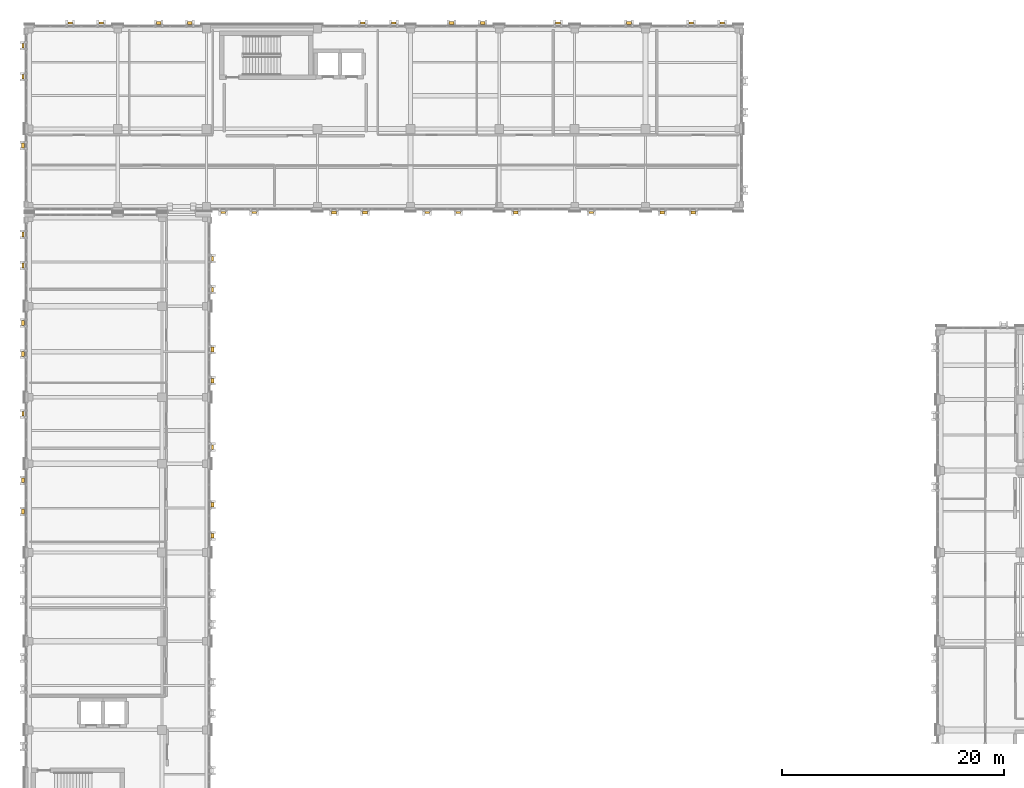
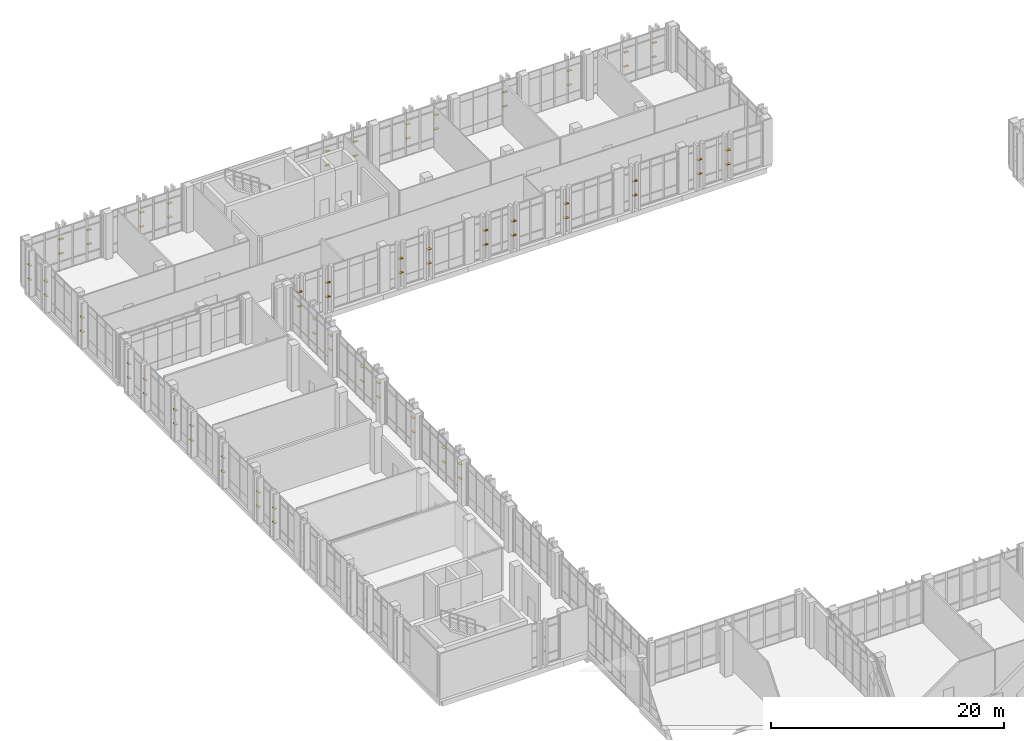
# One storey, part 187 of 189: 78 shading devices.
"""IFC4 building model written with IfcOpenShell, lengths in metres."""

from ifc_helpers import new_model, si_unit, direction, frame, origin, origin_2d, place, context, subcontext, project, spatial, rectangle, extrude, material, type_object, element, save


model = new_model("IFC4")

# Units and contexts
model_context = context("Model", 3, precision=1e-05, world=origin(), true_north=direction((0.0, 1.0)))
body_context = subcontext(model_context, "Body", "Model", "MODEL_VIEW")
ifc_project = project(units=[si_unit("LENGTHUNIT", "METRE"), si_unit("AREAUNIT", "SQUARE_METRE"), si_unit("VOLUMEUNIT", "CUBIC_METRE"), si_unit("PLANEANGLEUNIT", "RADIAN"), si_unit("MASSUNIT", "GRAM", prefix="KILO")], contexts=[model_context])

# Site, building, storey
site_placement = place(None, origin())
site = spatial("IfcSite", under=ifc_project, at=site_placement, CompositionType="ELEMENT")
building_placement = place(site_placement, origin())
building = spatial("IfcBuilding", under=site, at=building_placement, Name="Qalavern Law Courts", CompositionType="ELEMENT")
storey_placement = place(building_placement, frame((0.0, 0.0, 5.39990234375)))
storey = spatial("IfcBuildingStorey", under=building, at=storey_placement, Name="L01", CompositionType="ELEMENT", Elevation=5.39990234375)

# Shading devices
ifc_material = material(Name="Anodised aluminium", Category="aluminium")
shading_device_type_1 = type_object("IfcShadingDeviceType", Name="ENV-LOUV-1", PredefinedType="JALOUSIE", material=ifc_material)
for number, where, z_axis, x_axis, name in (
    (1, (18.947509765625, 74.89990234375, 1.548583984375), (0.0, 0.0, 1.0), (0.0, 1.0, 0.0), "Horizontal sun louvre V3-L01-0-1"),
    (2, (18.947509765625, 74.89990234375, 3.036865234375), (0.0, 0.0, 1.0), (0.0, 1.0, 0.0), "Horizontal sun louvre V3-L01-0-2"),
    (3, (18.947509765625, 89.10009765625, 1.548583984375), (0.0, 0.0, 1.0), (0.0, 1.0, 0.0), "Horizontal sun louvre V3-L01-0-1"),
    (4, (18.947509765625, 89.10009765625, 3.036865234375), (0.0, 0.0, 1.0), (0.0, 1.0, 0.0), "Horizontal sun louvre V3-L01-0-2"),
    (5, (18.947509765625, 91.89990234375, 1.548583984375), (0.0, 0.0, 1.0), (0.0, 1.0, 0.0), "Horizontal sun louvre V3-L01-1-1"),
    (6, (18.947509765625, 91.89990234375, 3.036865234375), (0.0, 0.0, 1.0), (0.0, 1.0, 0.0), "Horizontal sun louvre V3-L01-1-2"),
    (7, (1.8525390625, 94.080078125, 1.548583984375), (0.0, 0.0, 1.0), (0.0, -1.0, 0.0), "Horizontal sun louvre V3-L01-0-1"),
    (8, (1.8525390625, 94.080078125, 3.036865234375), (0.0, 0.0, 1.0), (0.0, -1.0, 0.0), "Horizontal sun louvre V3-L01-0-2"),
    (9, (1.8525390625, 91.280029296875, 1.548583984375), (0.0, 0.0, 1.0), (0.0, -1.0, 0.0), "Horizontal sun louvre V3-L01-1-1"),
    (10, (1.8525390625, 91.280029296875, 3.036865234375), (0.0, 0.0, 1.0), (0.0, -1.0, 0.0), "Horizontal sun louvre V3-L01-1-2"),
    (11, (1.8525390625, 77.89990234375, 1.548583984375), (0.0, 0.0, 1.0), (0.0, -1.0, 0.0), "Horizontal sun louvre V3-L01-0-1"),
    (12, (1.8525390625, 77.89990234375, 3.036865234375), (0.0, 0.0, 1.0), (0.0, -1.0, 0.0), "Horizontal sun louvre V3-L01-0-2"),
    (13, (19.89990234375, 96.052490234375, 1.548583984375), (0.0, 0.0, 1.0), (1.0, 0.0, 0.0), "Horizontal sun louvre V5-L01-0-1"),
    (14, (19.89990234375, 96.052490234375, 3.036865234375), (0.0, 0.0, 1.0), (1.0, 0.0, 0.0), "Horizontal sun louvre V5-L01-0-2"),
    (15, (22.699951171875, 96.052490234375, 1.548583984375), (0.0, 0.0, 1.0), (1.0, 0.0, 0.0), "Horizontal sun louvre V5-L01-1-1"),
    (16, (22.699951171875, 96.052490234375, 3.036865234375), (0.0, 0.0, 1.0), (1.0, 0.0, 0.0), "Horizontal sun louvre V5-L01-1-2"),
    (17, (38.300048828125, 96.052490234375, 1.548583984375), (0.0, 0.0, 1.0), (1.0, 0.0, 0.0), "Horizontal sun louvre V5-L01-0-1"),
    (18, (38.300048828125, 96.052490234375, 3.036865234375), (0.0, 0.0, 1.0), (1.0, 0.0, 0.0), "Horizontal sun louvre V5-L01-0-2"),
    (19, (41.10009765625, 96.052490234375, 1.548583984375), (0.0, 0.0, 1.0), (1.0, 0.0, 0.0), "Horizontal sun louvre V5-L01-1-1"),
    (20, (41.10009765625, 96.052490234375, 3.036865234375), (0.0, 0.0, 1.0), (1.0, 0.0, 0.0), "Horizontal sun louvre V5-L01-1-2"),
    (21, (53.10009765625, 96.052490234375, 1.548583984375), (0.0, 0.0, 1.0), (1.0, 0.0, 0.0), "Horizontal sun louvre V5-L01-0-1"),
    (22, (53.10009765625, 96.052490234375, 3.036865234375), (0.0, 0.0, 1.0), (1.0, 0.0, 0.0), "Horizontal sun louvre V5-L01-0-2"),
    (23, (64.89990234375, 113.1474609375, 1.548583984375), (0.0, 0.0, 1.0), (-1.0, 0.0, 0.0), "Horizontal sun louvre V5-L01-0-1"),
    (24, (64.89990234375, 113.1474609375, 3.036865234375), (0.0, 0.0, 1.0), (-1.0, 0.0, 0.0), "Horizontal sun louvre V5-L01-0-2"),
    (25, (62.10009765625, 113.1474609375, 1.548583984375), (0.0, 0.0, 1.0), (-1.0, 0.0, 0.0), "Horizontal sun louvre V5-L01-1-1"),
    (26, (62.10009765625, 113.1474609375, 3.036865234375), (0.0, 0.0, 1.0), (-1.0, 0.0, 0.0), "Horizontal sun louvre V5-L01-1-2"),
    (27, (50.10009765625, 113.1474609375, 1.548583984375), (0.0, 0.0, 1.0), (-1.0, 0.0, 0.0), "Horizontal sun louvre V5-L01-0-1"),
    (28, (50.10009765625, 113.1474609375, 3.036865234375), (0.0, 0.0, 1.0), (-1.0, 0.0, 0.0), "Horizontal sun louvre V5-L01-0-2"),
    (29, (35.300048828125, 113.1474609375, 1.548583984375), (0.0, 0.0, 1.0), (-1.0, 0.0, 0.0), "Horizontal sun louvre V5-L01-0-1"),
    (30, (35.300048828125, 113.1474609375, 3.036865234375), (0.0, 0.0, 1.0), (-1.0, 0.0, 0.0), "Horizontal sun louvre V5-L01-0-2"),
    (31, (32.5, 113.1474609375, 1.548583984375), (0.0, 0.0, 1.0), (-1.0, 0.0, 0.0), "Horizontal sun louvre V5-L01-1-1"),
    (32, (32.5, 113.1474609375, 3.036865234375), (0.0, 0.0, 1.0), (-1.0, 0.0, 0.0), "Horizontal sun louvre V5-L01-1-2"),
    (33, (8.89990234375, 113.1474609375, 1.548583984375), (0.0, 0.0, 1.0), (-1.0, 0.0, 0.0), "Horizontal sun louvre V5-L01-0-1"),
    (34, (8.89990234375, 113.1474609375, 3.036865234375), (0.0, 0.0, 1.0), (-1.0, 0.0, 0.0), "Horizontal sun louvre V5-L01-0-2"),
    (35, (6.10009765625, 113.1474609375, 1.548583984375), (0.0, 0.0, 1.0), (-1.0, 0.0, 0.0), "Horizontal sun louvre V5-L01-1-1"),
    (36, (6.10009765625, 113.1474609375, 3.036865234375), (0.0, 0.0, 1.0), (-1.0, 0.0, 0.0), "Horizontal sun louvre V5-L01-1-2"),
    (37, (1.8525390625, 111.10009765625, 1.548583984375), (0.0, 0.0, 1.0), (0.0, -1.0, 0.0), "Horizontal sun louvre V5-L01-0-1"),
    (38, (1.8525390625, 111.10009765625, 3.036865234375), (0.0, 0.0, 1.0), (0.0, -1.0, 0.0), "Horizontal sun louvre V5-L01-0-2"),
    (39, (1.8525390625, 108.300048828125, 1.548583984375), (0.0, 0.0, 1.0), (0.0, -1.0, 0.0), "Horizontal sun louvre V5-L01-1-1"),
    (40, (1.8525390625, 108.300048828125, 3.036865234375), (0.0, 0.0, 1.0), (0.0, -1.0, 0.0), "Horizontal sun louvre V5-L01-1-2"),
):
    element("IfcShadingDevice", number, at=place(storey_placement, frame(where, z_axis=z_axis, x_axis=x_axis)), inside=storey, type_object=shading_device_type_1, Name=name, PredefinedType="JALOUSIE", context=body_context, shape_type="SweptSolid", body=[
        extrude(rectangle(XDim=0.419921875, YDim=0.2099609375, at=origin_2d()), origin(), (0.0, 0.0, 1.0), 0.06005859375),
    ])
shading_device_type_2 = type_object("IfcShadingDeviceType", Name="ENV-LOUV-2", PredefinedType="JALOUSIE", material=ifc_material)
for number, where, z_axis, x_axis, name in (
    (41, (18.947509765625, 66.89990234375, 1.548583984375), (0.0, 0.0, 1.0), (0.0, 1.0, 0.0), "Horizontal sun louvre V3-L01-0-1"),
    (42, (18.947509765625, 66.89990234375, 3.036865234375), (0.0, 0.0, 1.0), (0.0, 1.0, 0.0), "Horizontal sun louvre V3-L01-0-2"),
    (43, (18.947509765625, 69.699951171875, 1.548583984375), (0.0, 0.0, 1.0), (0.0, 1.0, 0.0), "Horizontal sun louvre V3-L01-1-1"),
    (44, (18.947509765625, 69.699951171875, 3.036865234375), (0.0, 0.0, 1.0), (0.0, 1.0, 0.0), "Horizontal sun louvre V3-L01-1-2"),
    (45, (18.947509765625, 80.89990234375, 1.548583984375), (0.0, 0.0, 1.0), (0.0, 1.0, 0.0), "Horizontal sun louvre V3-L01-0-1"),
    (46, (18.947509765625, 80.89990234375, 3.036865234375), (0.0, 0.0, 1.0), (0.0, 1.0, 0.0), "Horizontal sun louvre V3-L01-0-2"),
    (47, (18.947509765625, 83.699951171875, 1.548583984375), (0.0, 0.0, 1.0), (0.0, 1.0, 0.0), "Horizontal sun louvre V3-L01-1-1"),
    (48, (18.947509765625, 83.699951171875, 3.036865234375), (0.0, 0.0, 1.0), (0.0, 1.0, 0.0), "Horizontal sun louvre V3-L01-1-2"),
    (49, (1.8525390625, 86.10009765625, 1.548583984375), (0.0, 0.0, 1.0), (0.0, -1.0, 0.0), "Horizontal sun louvre V3-L01-0-1"),
    (50, (1.8525390625, 86.10009765625, 3.036865234375), (0.0, 0.0, 1.0), (0.0, -1.0, 0.0), "Horizontal sun louvre V3-L01-0-2"),
    (51, (1.8525390625, 83.300048828125, 1.548583984375), (0.0, 0.0, 1.0), (0.0, -1.0, 0.0), "Horizontal sun louvre V3-L01-1-1"),
    (52, (1.8525390625, 83.300048828125, 3.036865234375), (0.0, 0.0, 1.0), (0.0, -1.0, 0.0), "Horizontal sun louvre V3-L01-1-2"),
    (53, (1.8525390625, 71.89990234375, 1.548583984375), (0.0, 0.0, 1.0), (0.0, -1.0, 0.0), "Horizontal sun louvre V3-L01-0-1"),
    (54, (1.8525390625, 71.89990234375, 3.036865234375), (0.0, 0.0, 1.0), (0.0, -1.0, 0.0), "Horizontal sun louvre V3-L01-0-2"),
    (55, (1.8525390625, 69.10009765625, 1.548583984375), (0.0, 0.0, 1.0), (0.0, -1.0, 0.0), "Horizontal sun louvre V3-L01-1-1"),
    (56, (1.8525390625, 69.10009765625, 3.036865234375), (0.0, 0.0, 1.0), (0.0, -1.0, 0.0), "Horizontal sun louvre V3-L01-1-2"),
    (57, (29.89990234375, 96.052490234375, 1.548583984375), (0.0, 0.0, 1.0), (1.0, 0.0, 0.0), "Horizontal sun louvre V5-L01-0-1"),
    (58, (29.89990234375, 96.052490234375, 3.036865234375), (0.0, 0.0, 1.0), (1.0, 0.0, 0.0), "Horizontal sun louvre V5-L01-0-2"),
    (59, (32.699951171875, 96.052490234375, 1.548583984375), (0.0, 0.0, 1.0), (1.0, 0.0, 0.0), "Horizontal sun louvre V5-L01-1-1"),
    (60, (32.699951171875, 96.052490234375, 3.036865234375), (0.0, 0.0, 1.0), (1.0, 0.0, 0.0), "Horizontal sun louvre V5-L01-1-2"),
    (61, (46.300048828125, 96.052490234375, 1.548583984375), (0.0, 0.0, 1.0), (1.0, 0.0, 0.0), "Horizontal sun louvre V5-L01-0-1"),
    (62, (46.300048828125, 96.052490234375, 3.036865234375), (0.0, 0.0, 1.0), (1.0, 0.0, 0.0), "Horizontal sun louvre V5-L01-0-2"),
    (63, (59.5, 96.052490234375, 1.548583984375), (0.0, 0.0, 1.0), (1.0, 0.0, 0.0), "Horizontal sun louvre V5-L01-0-1"),
    (64, (59.5, 96.052490234375, 3.036865234375), (0.0, 0.0, 1.0), (1.0, 0.0, 0.0), "Horizontal sun louvre V5-L01-0-2"),
    (65, (62.300048828125, 96.052490234375, 1.548583984375), (0.0, 0.0, 1.0), (1.0, 0.0, 0.0), "Horizontal sun louvre V5-L01-1-1"),
    (66, (62.300048828125, 96.052490234375, 3.036865234375), (0.0, 0.0, 1.0), (1.0, 0.0, 0.0), "Horizontal sun louvre V5-L01-1-2"),
    (67, (56.5, 113.1474609375, 1.548583984375), (0.0, 0.0, 1.0), (-1.0, 0.0, 0.0), "Horizontal sun louvre V5-L01-0-1"),
    (68, (56.5, 113.1474609375, 3.036865234375), (0.0, 0.0, 1.0), (-1.0, 0.0, 0.0), "Horizontal sun louvre V5-L01-0-2"),
    (69, (43.300048828125, 113.1474609375, 1.548583984375), (0.0, 0.0, 1.0), (-1.0, 0.0, 0.0), "Horizontal sun louvre V5-L01-0-1"),
    (70, (43.300048828125, 113.1474609375, 3.036865234375), (0.0, 0.0, 1.0), (-1.0, 0.0, 0.0), "Horizontal sun louvre V5-L01-0-2"),
    (71, (40.5, 113.1474609375, 1.548583984375), (0.0, 0.0, 1.0), (-1.0, 0.0, 0.0), "Horizontal sun louvre V5-L01-1-1"),
    (72, (40.5, 113.1474609375, 3.036865234375), (0.0, 0.0, 1.0), (-1.0, 0.0, 0.0), "Horizontal sun louvre V5-L01-1-2"),
    (73, (16.89990234375, 113.1474609375, 1.548583984375), (0.0, 0.0, 1.0), (-1.0, 0.0, 0.0), "Horizontal sun louvre V5-L01-0-1"),
    (74, (16.89990234375, 113.1474609375, 3.036865234375), (0.0, 0.0, 1.0), (-1.0, 0.0, 0.0), "Horizontal sun louvre V5-L01-0-2"),
    (75, (14.10009765625, 113.1474609375, 1.548583984375), (0.0, 0.0, 1.0), (-1.0, 0.0, 0.0), "Horizontal sun louvre V5-L01-1-1"),
    (76, (14.10009765625, 113.1474609375, 3.036865234375), (0.0, 0.0, 1.0), (-1.0, 0.0, 0.0), "Horizontal sun louvre V5-L01-1-2"),
    (77, (1.8525390625, 102.10009765625, 1.548583984375), (0.0, 0.0, 1.0), (0.0, -1.0, 0.0), "Horizontal sun louvre V5-L01-0-1"),
    (78, (1.8525390625, 102.10009765625, 3.036865234375), (0.0, 0.0, 1.0), (0.0, -1.0, 0.0), "Horizontal sun louvre V5-L01-0-2"),
):
    element("IfcShadingDevice", number, at=place(storey_placement, frame(where, z_axis=z_axis, x_axis=x_axis)), inside=storey, type_object=shading_device_type_2, Name=name, PredefinedType="JALOUSIE", context=body_context, shape_type="SweptSolid", body=[
        extrude(rectangle(XDim=0.419921875, YDim=0.25, at=origin_2d()), origin(), (0.0, 0.0, 1.0), 0.06005859375),
    ])

save(model, "model.ifc")
